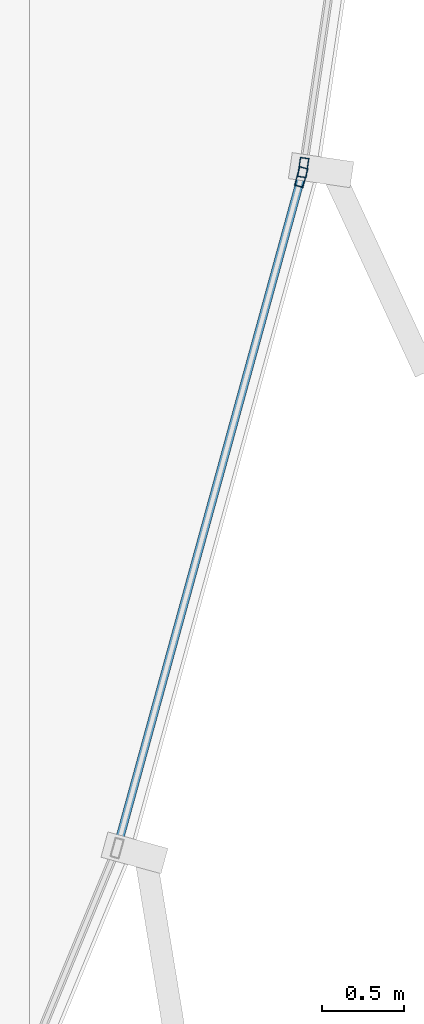
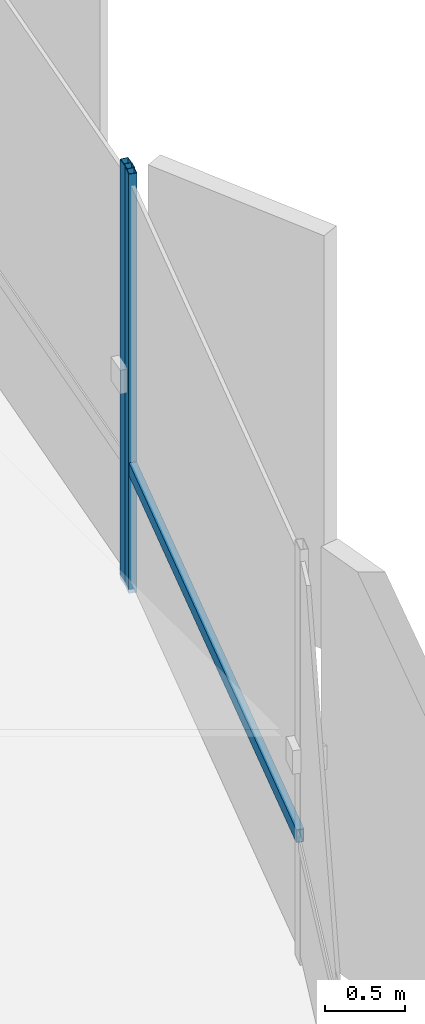
# One storey, part 15 of 34: 3 members, 2 elements without a shape of their own.
"""IFC4 building model written with IfcOpenShell, lengths in metres."""

from ifc_helpers import new_model, si_unit, direction, frame, origin, origin_2d, place, context, subcontext, project, spatial, hollow_rectangle, extrude, source, transform, mapped, material, layer, layer_set, material_profile, profile_set, type_object, element, aggregate, save


model = new_model("IFC4")

# Units and contexts
model_context = context("Model", 3, precision=1e-05, world=origin(), true_north=direction((0.0, 1.0)))
body_context = subcontext(model_context, "Body", "Model", "MODEL_VIEW")
ifc_project = project(units=[si_unit("LENGTHUNIT", "METRE"), si_unit("AREAUNIT", "SQUARE_METRE"), si_unit("VOLUMEUNIT", "CUBIC_METRE"), si_unit("PLANEANGLEUNIT", "RADIAN"), si_unit("MASSUNIT", "GRAM", prefix="KILO"), si_unit("THERMODYNAMICTEMPERATUREUNIT", "KELVIN")], contexts=[model_context])

# Site, building, storey
site_placement = place(None, origin())
site = spatial("IfcSite", under=ifc_project, at=site_placement, CompositionType="ELEMENT")
building_placement = place(site_placement, origin())
building = spatial("IfcBuilding", under=site, at=building_placement, Name="Kethvar Cultural Tower", CompositionType="ELEMENT")
storey_placement = place(building_placement, frame((0.0, 0.0, 259.449951171875)))
storey = spatial("IfcBuildingStorey", under=building, at=storey_placement, Name="L68", CompositionType="ELEMENT", Elevation=259.449951171875)

# Curtain wall, member
ifc_material = material(Name="Aluminium 6063-T6", Category="aluminium")
ifc_layer = layer(ifc_material, 0.179931640625, Name="Aluminium 6063-T6", Category="aluminium")
ifc_layer_set = layer_set([ifc_layer], Name="Aluminium 6063-T6 (180 mm)")
curtain_wall_type = type_object("IfcCurtainWallType", Name="CW-SYS-05-Z56", PredefinedType="NOTDEFINED", material=ifc_layer_set)
curtain_wall_1_placement = place(storey_placement, origin())
curtain_wall_1 = element("IfcCurtainWall", 1, at=curtain_wall_1_placement, inside=storey, type_object=curtain_wall_type, Name="L68 Curtain Wall Run 05", PredefinedType="NOTDEFINED")
ifc_material_profile_1 = material_profile(ifc_material, hollow_rectangle(XDim=0.054931640625, YDim=0.1201171875, WallThickness=0.00390625, at=origin_2d()), Name="Aluminium 6063-T6 — RHS120x55x4")
ifc_profile_set_1 = profile_set([ifc_material_profile_1], Name="Aluminium 6063-T6 — RHS120x55x4")
member_type_1 = type_object("IfcMemberType", Name="CW-SYS-05-Z56-MUL", PredefinedType="MULLION", material=ifc_profile_set_1)
shared_shape_1 = source(origin(), body_context, "Body", "SweptSolid", [
    extrude(hollow_rectangle(XDim=0.054931640625, YDim=0.1201171875, WallThickness=0.00390625, at=origin_2d()), origin(), (0.0, 0.0, 1.0), 3.2099609375),
])
member_1_placement = place(storey_placement, frame((66.98486328125, 28.708984375, 0.0), z_axis=(0.0, 0.0, 1.0), x_axis=(-0.964322158245, 0.264731515159, 0.0)))
member_1 = element("IfcMember", 2, at=member_1_placement, type_object=member_type_1, Name="CW-L68-R05 Mullion 7", PredefinedType="MULLION", context=body_context, shape_type="MappedRepresentation", body=[
    mapped(shared_shape_1, transform((0.0, 0.0, 0.0), scale=1.0)),
])

curtain_wall_2_placement = place(storey_placement, origin())
curtain_wall_2 = element("IfcCurtainWall", 3, at=curtain_wall_2_placement, inside=storey, type_object=curtain_wall_type, Name="L68 Curtain Wall Run 06", PredefinedType="NOTDEFINED")
member_2_placement = place(storey_placement, frame((66.9970703125, 28.766845703125, 0.0), z_axis=(0.0, 0.0, 1.0), x_axis=(-0.989198266984, 0.146583725552, 0.0)))
member_2 = element("IfcMember", 4, at=member_2_placement, type_object=member_type_1, Name="CW-L68-R06 Mullion 1", PredefinedType="MULLION", context=body_context, shape_type="MappedRepresentation", body=[
    mapped(shared_shape_1, transform((0.0, 0.0, 0.0), scale=1.0)),
])
aggregate(curtain_wall_2, [member_2])

# Member
ifc_material_profile_2 = material_profile(ifc_material, hollow_rectangle(XDim=0.050048828125, YDim=0.10009765625, WallThickness=0.00390625, at=origin_2d()), Name="Aluminium 6063-T6 — RHS100x50x4")
ifc_profile_set_2 = profile_set([ifc_material_profile_2], Name="Aluminium 6063-T6 — RHS100x50x4")
member_type_2 = type_object("IfcMemberType", Name="CW-SYS-05-Z56-TRN", PredefinedType="USERDEFINED", material=ifc_profile_set_2)
shared_shape_2 = source(origin(), body_context, "Body", "SweptSolid", [
    extrude(hollow_rectangle(XDim=0.050048828125, YDim=0.10009765625, WallThickness=0.00390625, at=origin_2d()), origin(), (0.0, 0.0, 1.0), 4.203369140625),
])
member_3_placement = place(storey_placement, frame((65.87109375, 24.651611328125, 0.949951171875), z_axis=(0.264733926405, 0.964321496292, 0.0), x_axis=(-0.964321496292, 0.264733926405, 0.0)))
member_3 = element("IfcMember", 5, at=member_3_placement, type_object=member_type_2, Name="CW-L68-R05 Transom 6", ObjectType="TRANSOM", PredefinedType="USERDEFINED", context=body_context, shape_type="MappedRepresentation", body=[
    mapped(shared_shape_2, transform((0.0, 0.0, 0.0), scale=1.0)),
])

aggregate(curtain_wall_1, [member_1, member_3])

save(model, "model.ifc")
